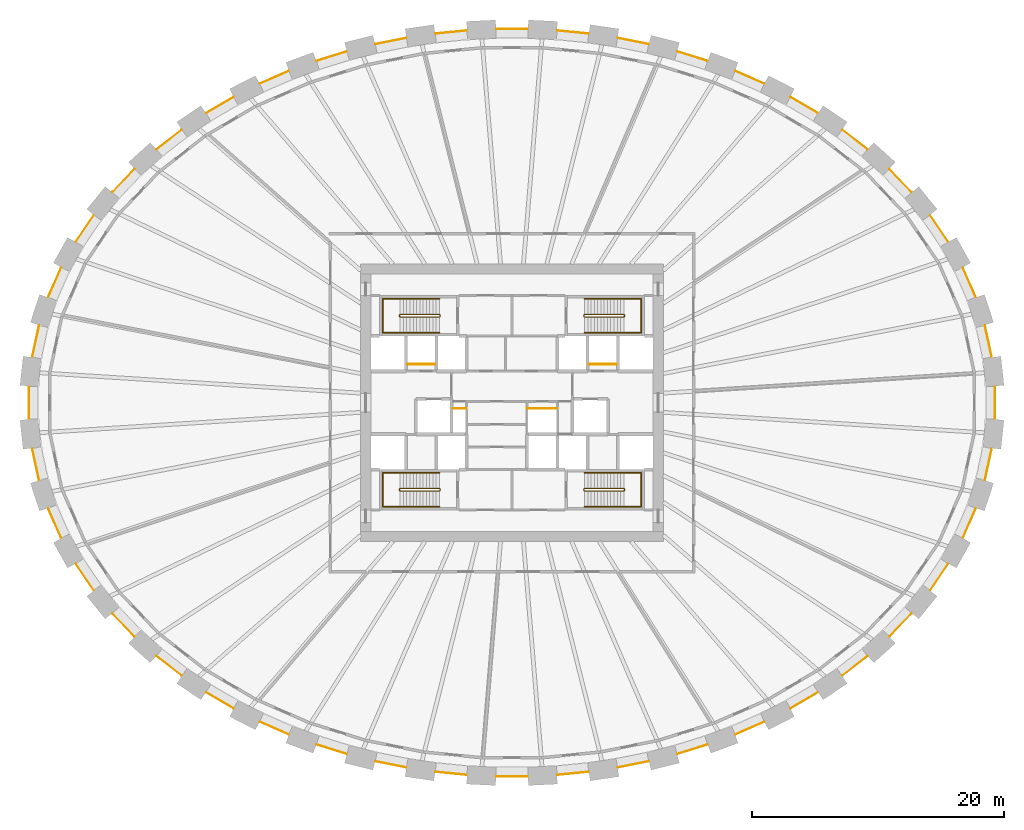
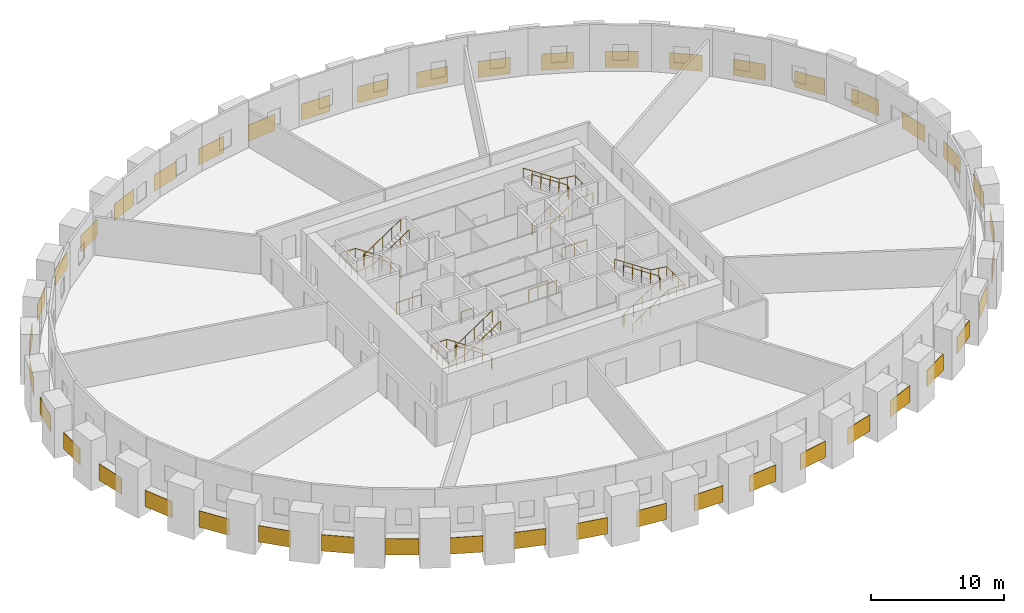
# One storey, part 9 of 9: 44 coverings, 12 railings.
"""IFC4 building model written with IfcOpenShell, lengths in metres."""

from ifc_helpers import new_model, si_unit, direction, frame, origin, origin_2d, place, context, subcontext, project, spatial, rectangle, circle, extrude, source, transform, mapped, material, layer, layer_set, type_object, element, save


model = new_model("IFC4")

# Units and contexts
model_context = context("Model", 3, precision=1e-05, world=origin(), true_north=direction((0.0, 1.0)))
body_context = subcontext(model_context, "Body", "Model", "MODEL_VIEW")
ifc_project = project(units=[si_unit("LENGTHUNIT", "METRE"), si_unit("AREAUNIT", "SQUARE_METRE"), si_unit("VOLUMEUNIT", "CUBIC_METRE"), si_unit("PLANEANGLEUNIT", "RADIAN"), si_unit("MASSUNIT", "GRAM", prefix="KILO")], contexts=[model_context])

# Site, building, storey
site_placement = place(None, origin())
site = spatial("IfcSite", under=ifc_project, at=site_placement, CompositionType="ELEMENT")
building_placement = place(site_placement, origin())
building = spatial("IfcBuilding", under=site, at=building_placement, Name="Embergate Tower", CompositionType="ELEMENT")
storey_placement = place(building_placement, frame((0.0, 0.0, 147.60009765625)))
storey = spatial("IfcBuildingStorey", under=building, at=storey_placement, Name="L32", CompositionType="ELEMENT", Elevation=147.60009765625)

# Coverings
ifc_material_1 = material(Name="Terracotta rainscreen on insulated backing", Category="masonry")
ifc_layer = layer(ifc_material_1, 0.0400390625)
ifc_layer_set = layer_set([ifc_layer], Name="Terracotta rainscreen on insulated backing")
covering_type = type_object("IfcCoveringType", Name="Terracotta rainscreen band", PredefinedType="CLADDING", material=ifc_layer_set)
shared_shape_1 = source(origin(), body_context, "Body", "SweptSolid", [
    extrude(rectangle(XDim=2.5439453125, YDim=0.0400390625, at=origin_2d()), origin(), (0.0, 0.0, 1.0), 1.5),
])
for number, where, z_axis, x_axis, name in (
    (1, (37.773193359375, 4.88134765625, -0.75), (0.0, 0.0, 1.0), (-0.210307958426, 0.977635188924, 0.0), "Rainscreen band 1"),
    (2, (-37.773193359375, 4.88134765625, -0.75), (0.0, 0.0, 1.0), (-0.210307958426, -0.977635188924, 0.0), "Rainscreen band 21"),
    (3, (-38.2919921875, 0.0, -0.75), (0.0, 0.0, 1.0), (0.0, -1.0, 0.0), "Rainscreen band 22"),
    (4, (-37.773193359375, -4.88134765625, -0.75), (0.0, 0.0, 1.0), (0.210307958426, -0.977635188924, 0.0), "Rainscreen band 23"),
    (5, (37.773193359375, -4.88134765625, -0.75), (0.0, 0.0, 1.0), (0.210307958426, 0.977635188924, 0.0), "Rainscreen band 43"),
    (6, (38.2919921875, 0.0, -0.75), (0.0, 0.0, 1.0), (0.0, 1.0, 0.0), "Rainscreen band 44"),
):
    element("IfcCovering", number, at=place(storey_placement, frame(where, z_axis=z_axis, x_axis=x_axis)), inside=storey, type_object=covering_type, Name=name, PredefinedType="CLADDING", context=body_context, shape_type="MappedRepresentation", body=[
        mapped(shared_shape_1, transform((0.0, 0.0, 0.0))),
    ])
shared_shape_2 = source(origin(), body_context, "Body", "SweptSolid", [
    extrude(rectangle(XDim=2.540283203125, YDim=0.0400390625, at=origin_2d()), origin(), (0.0, 0.0, 1.0), 1.5),
])
for number, where, z_axis, x_axis, name in (
    (7, (36.265380859375, 9.547607421875, -0.75), (0.0, 0.0, 1.0), (-0.401933393412, 0.915668907008, 0.0), "Rainscreen band 2"),
    (8, (-36.265380859375, 9.547607421875, -0.75), (0.0, 0.0, 1.0), (-0.401933393412, -0.915668907008, 0.0), "Rainscreen band 20"),
    (9, (-36.265380859375, -9.547607421875, -0.75), (0.0, 0.0, 1.0), (0.401933393412, -0.915668907008, 0.0), "Rainscreen band 24"),
    (10, (36.265380859375, -9.547607421875, -0.75), (0.0, 0.0, 1.0), (0.401933393412, 0.915668907008, 0.0), "Rainscreen band 42"),
):
    element("IfcCovering", number, at=place(storey_placement, frame(where, z_axis=z_axis, x_axis=x_axis)), inside=storey, type_object=covering_type, Name=name, PredefinedType="CLADDING", context=body_context, shape_type="MappedRepresentation", body=[
        mapped(shared_shape_2, transform((0.0, 0.0, 0.0))),
    ])
shared_shape_3 = source(origin(), body_context, "Body", "SweptSolid", [
    extrude(rectangle(XDim=2.531005859375, YDim=0.0400390625, at=origin_2d()), origin(), (0.0, 0.0, 1.0), 1.5),
])
for number, where, z_axis, x_axis, name in (
    (11, (33.87939453125, 13.819580078125, -0.75), (0.0, 0.0, 1.0), (-0.562245042239, 0.826970684171, 0.0), "Rainscreen band 3"),
    (12, (-33.87939453125, 13.819580078125, -0.75), (0.0, 0.0, 1.0), (-0.562245042239, -0.826970684171, 0.0), "Rainscreen band 19"),
    (13, (-33.87939453125, -13.819580078125, -0.75), (0.0, 0.0, 1.0), (0.562245042239, -0.826970684171, 0.0), "Rainscreen band 25"),
    (14, (33.87939453125, -13.819580078125, -0.75), (0.0, 0.0, 1.0), (0.562245042239, 0.826970684171, 0.0), "Rainscreen band 41"),
):
    element("IfcCovering", number, at=place(storey_placement, frame(where, z_axis=z_axis, x_axis=x_axis)), inside=storey, type_object=covering_type, Name=name, PredefinedType="CLADDING", context=body_context, shape_type="MappedRepresentation", body=[
        mapped(shared_shape_3, transform((0.0, 0.0, 0.0))),
    ])
shared_shape_4 = source(origin(), body_context, "Body", "SweptSolid", [
    extrude(rectangle(XDim=2.52587890625, YDim=0.0400390625, at=origin_2d()), origin(), (0.0, 0.0, 1.0), 1.5),
])
for number, where, z_axis, x_axis, name in (
    (15, (30.813232421875, 17.6162109375, -0.75), (0.0, 0.0, 1.0), (-0.690080733963, 0.723732395719, 0.0), "Rainscreen band 4"),
    (16, (-30.813232421875, 17.6162109375, -0.75), (0.0, 0.0, 1.0), (-0.690080733963, -0.723732395719, 0.0), "Rainscreen band 18"),
    (17, (-30.813232421875, -17.6162109375, -0.75), (0.0, 0.0, 1.0), (0.690080733963, -0.723732395719, 0.0), "Rainscreen band 26"),
    (18, (30.813232421875, -17.6162109375, -0.75), (0.0, 0.0, 1.0), (0.690080733963, 0.723732395719, 0.0), "Rainscreen band 40"),
):
    element("IfcCovering", number, at=place(storey_placement, frame(where, z_axis=z_axis, x_axis=x_axis)), inside=storey, type_object=covering_type, Name=name, PredefinedType="CLADDING", context=body_context, shape_type="MappedRepresentation", body=[
        mapped(shared_shape_4, transform((0.0, 0.0, 0.0))),
    ])
shared_shape_5 = source(origin(), body_context, "Body", "SweptSolid", [
    extrude(rectangle(XDim=2.517822265625, YDim=0.0400390625, at=origin_2d()), origin(), (0.0, 0.0, 1.0), 1.5),
])
for number, where, z_axis, x_axis, name in (
    (19, (27.190185546875, 20.8701171875, -0.75), (0.0, 0.0, 1.0), (-0.788367365913, 0.615204759705, 0.0), "Rainscreen band 5"),
    (20, (-27.190185546875, 20.8701171875, -0.75), (0.0, 0.0, 1.0), (-0.788367365913, -0.615204759705, 0.0), "Rainscreen band 17"),
    (21, (-27.190185546875, -20.8701171875, -0.75), (0.0, 0.0, 1.0), (0.788367365913, -0.615204759705, 0.0), "Rainscreen band 27"),
    (22, (27.190185546875, -20.8701171875, -0.75), (0.0, 0.0, 1.0), (0.788367365913, 0.615204759705, 0.0), "Rainscreen band 39"),
):
    element("IfcCovering", number, at=place(storey_placement, frame(where, z_axis=z_axis, x_axis=x_axis)), inside=storey, type_object=covering_type, Name=name, PredefinedType="CLADDING", context=body_context, shape_type="MappedRepresentation", body=[
        mapped(shared_shape_5, transform((0.0, 0.0, 0.0))),
    ])
shared_shape_6 = source(origin(), body_context, "Body", "SweptSolid", [
    extrude(rectangle(XDim=2.513916015625, YDim=0.0400390625, at=origin_2d()), origin(), (0.0, 0.0, 1.0), 1.5),
])
for number, where, z_axis, x_axis, name in (
    (23, (23.172119140625, 23.60205078125, -0.75), (0.0, 0.0, 1.0), (-0.862056706047, 0.506811834471, 0.0), "Rainscreen band 6"),
    (24, (-23.172119140625, 23.60205078125, -0.75), (0.0, 0.0, 1.0), (-0.862056706047, -0.506811834471, 0.0), "Rainscreen band 16"),
    (25, (-23.172119140625, -23.60205078125, -0.75), (0.0, 0.0, 1.0), (0.862056706047, -0.506811834471, 0.0), "Rainscreen band 28"),
    (26, (23.172119140625, -23.60205078125, -0.75), (0.0, 0.0, 1.0), (0.862056706047, 0.506811834471, 0.0), "Rainscreen band 38"),
):
    element("IfcCovering", number, at=place(storey_placement, frame(where, z_axis=z_axis, x_axis=x_axis)), inside=storey, type_object=covering_type, Name=name, PredefinedType="CLADDING", context=body_context, shape_type="MappedRepresentation", body=[
        mapped(shared_shape_6, transform((0.0, 0.0, 0.0))),
    ])
shared_shape_7 = source(origin(), body_context, "Body", "SweptSolid", [
    extrude(rectangle(XDim=2.509521484375, YDim=0.0400390625, at=origin_2d()), origin(), (0.0, 0.0, 1.0), 1.5),
])
for number, where, z_axis, x_axis, name in (
    (27, (18.850830078125, 25.806884765625, -0.75), (0.0, 0.0, 1.0), (-0.916129894095, 0.400881550018, 0.0), "Rainscreen band 7"),
    (28, (-18.850830078125, 25.806884765625, -0.75), (0.0, 0.0, 1.0), (-0.916129894095, -0.400881550018, 0.0), "Rainscreen band 15"),
    (29, (-18.850830078125, -25.806884765625, -0.75), (0.0, 0.0, 1.0), (0.916129894095, -0.400881550018, 0.0), "Rainscreen band 29"),
    (30, (18.850830078125, -25.806884765625, -0.75), (0.0, 0.0, 1.0), (0.916129894095, 0.400881550018, 0.0), "Rainscreen band 37"),
):
    element("IfcCovering", number, at=place(storey_placement, frame(where, z_axis=z_axis, x_axis=x_axis)), inside=storey, type_object=covering_type, Name=name, PredefinedType="CLADDING", context=body_context, shape_type="MappedRepresentation", body=[
        mapped(shared_shape_7, transform((0.0, 0.0, 0.0))),
    ])
shared_shape_8 = source(origin(), body_context, "Body", "SweptSolid", [
    extrude(rectangle(XDim=2.50634765625, YDim=0.0400390625, at=origin_2d()), origin(), (0.0, 0.0, 1.0), 1.5),
])
for number, where, z_axis, x_axis, name in (
    (31, (14.304443359375, 27.481689453125, -0.75), (0.0, 0.0, 1.0), (-0.954798679999, 0.297253226512, 0.0), "Rainscreen band 8"),
    (32, (-14.304443359375, 27.481689453125, -0.75), (0.0, 0.0, 1.0), (-0.954798679999, -0.297253226512, 0.0), "Rainscreen band 14"),
    (33, (-14.304443359375, -27.481689453125, -0.75), (0.0, 0.0, 1.0), (0.954798679999, -0.297253226512, 0.0), "Rainscreen band 30"),
    (34, (14.304443359375, -27.481689453125, -0.75), (0.0, 0.0, 1.0), (0.954798679999, 0.297253226512, 0.0), "Rainscreen band 36"),
):
    element("IfcCovering", number, at=place(storey_placement, frame(where, z_axis=z_axis, x_axis=x_axis)), inside=storey, type_object=covering_type, Name=name, PredefinedType="CLADDING", context=body_context, shape_type="MappedRepresentation", body=[
        mapped(shared_shape_8, transform((0.0, 0.0, 0.0))),
    ])
shared_shape_9 = source(origin(), body_context, "Body", "SweptSolid", [
    extrude(rectangle(XDim=2.502685546875, YDim=0.0400390625, at=origin_2d()), origin(), (0.0, 0.0, 1.0), 1.5),
])
for number, where, z_axis, x_axis, name in (
    (35, (9.61474609375, 28.6787109375, -0.75), (0.0, 0.0, 1.0), (-0.980488260682, 0.196577645383, 0.0), "Rainscreen band 9"),
    (36, (-9.61474609375, 28.6787109375, -0.75), (0.0, 0.0, 1.0), (-0.980488260682, -0.196577645383, 0.0), "Rainscreen band 13"),
    (37, (-9.61474609375, -28.6787109375, -0.75), (0.0, 0.0, 1.0), (0.980488260682, -0.196577645383, 0.0), "Rainscreen band 31"),
    (38, (9.61474609375, -28.6787109375, -0.75), (0.0, 0.0, 1.0), (0.980488260682, 0.196577645383, 0.0), "Rainscreen band 35"),
):
    element("IfcCovering", number, at=place(storey_placement, frame(where, z_axis=z_axis, x_axis=x_axis)), inside=storey, type_object=covering_type, Name=name, PredefinedType="CLADDING", context=body_context, shape_type="MappedRepresentation", body=[
        mapped(shared_shape_9, transform((0.0, 0.0, 0.0))),
    ])
shared_shape_10 = source(origin(), body_context, "Body", "SweptSolid", [
    extrude(rectangle(XDim=2.5029296875, YDim=0.0400390625, at=origin_2d()), origin(), (0.0, 0.0, 1.0), 1.5),
])
for number, where, z_axis, x_axis, name in (
    (39, (4.83056640625, 29.39208984375, -0.75), (0.0, 0.0, 1.0), (-0.995236932828, 0.097485627322, 0.0), "Rainscreen band 10"),
    (40, (-4.83056640625, 29.39208984375, -0.75), (0.0, 0.0, 1.0), (-0.995236932828, -0.097485627322, 0.0), "Rainscreen band 12"),
    (41, (-4.83056640625, -29.39208984375, -0.75), (0.0, 0.0, 1.0), (0.995236932828, -0.097485627322, 0.0), "Rainscreen band 32"),
    (42, (4.83056640625, -29.39208984375, -0.75), (0.0, 0.0, 1.0), (0.995236932828, 0.097485627322, 0.0), "Rainscreen band 34"),
):
    element("IfcCovering", number, at=place(storey_placement, frame(where, z_axis=z_axis, x_axis=x_axis)), inside=storey, type_object=covering_type, Name=name, PredefinedType="CLADDING", context=body_context, shape_type="MappedRepresentation", body=[
        mapped(shared_shape_10, transform((0.0, 0.0, 0.0))),
    ])
shared_shape_11 = source(origin(), body_context, "Body", "SweptSolid", [
    extrude(rectangle(XDim=2.501953125, YDim=0.0400390625, at=origin_2d()), origin(), (0.0, 0.0, 1.0), 1.5),
])
for number, where, z_axis, x_axis, name in (
    (43, (0.0, 29.62890625, -0.75), (0.0, 0.0, 1.0), (-1.0, 0.0, 0.0), "Rainscreen band 11"),
    (44, (0.0, -29.62890625, -0.75), (0.0, 0.0, 1.0), (1.0, 0.0, 0.0), "Rainscreen band 33"),
):
    element("IfcCovering", number, at=place(storey_placement, frame(where, z_axis=z_axis, x_axis=x_axis)), inside=storey, type_object=covering_type, Name=name, PredefinedType="CLADDING", context=body_context, shape_type="MappedRepresentation", body=[
        mapped(shared_shape_11, transform((0.0, 0.0, 0.0))),
    ])

# Railings
ifc_material_2 = material(Name="Stair guard 1100")
railing_type_1 = type_object("IfcRailingType", Name="Stair guard 1100", PredefinedType="GUARDRAIL", material=ifc_material_2)
shared_shape_12 = source(origin(), body_context, "Body", "SweptSolid", [
    extrude(circle(Radius=0.02392578125, at=origin_2d()), frame((0.0, 0.0, 1.076171875), z_axis=(0.0, 1.0, 0.0), x_axis=(-1.0, 0.0, 0.0)), (0.0, 0.0, 1.0), 0.099853515625),
    extrude(circle(Radius=0.02392578125, at=origin_2d()), frame((0.0, 0.099853515625, 1.076171875), z_axis=(-0.267629722418, 0.267629722418, 0.925607186314), x_axis=(-0.707106781187, -0.707106781187, 0.0)), (0.0, 0.0, 1.0), 0.18701171875),
    extrude(circle(Radius=0.02392578125, at=origin_2d()), frame((-0.050048828125, 0.14990234375, 1.2490234375), z_axis=(-0.83244090515, 0.0, 0.554113832559), x_axis=(0.0, -1.0, 0.0)), (0.0, 0.0, 1.0), 3.748046875),
    extrude(circle(Radius=0.02392578125, at=origin_2d()), frame((-3.170166015625, 0.14990234375, 3.326171875), z_axis=(-0.705375805398, -0.708833529934, 0.0), x_axis=(0.708833529934, -0.705375805398, 0.0)), (0.0, 0.0, 1.0), 0.070556640625),
    extrude(circle(Radius=0.02392578125, at=origin_2d()), frame((-3.219970703125, 0.099853515625, 3.326171875), z_axis=(0.0, -1.0, 0.0), x_axis=(1.0, 0.0, 0.0)), (0.0, 0.0, 1.0), 0.099853515625),
    extrude(circle(Radius=0.02392578125, at=origin_2d()), frame((-3.219970703125, 0.0, 3.326171875), z_axis=(0.266417085129, -0.267723051232, 0.925929967433), x_axis=(0.708833529934, 0.705375805398, 0.0)), (0.0, 0.0, 1.0), 0.18701171875),
    extrude(circle(Radius=0.02392578125, at=origin_2d()), frame((-3.170166015625, -0.050048828125, 3.4990234375), z_axis=(0.83244090515, 0.0, 0.554113832559), x_axis=(0.0, 1.0, 0.0)), (0.0, 0.0, 1.0), 3.748046875),
    extrude(circle(Radius=0.02099609375, at=origin_2d()), origin(), (0.0, 0.0, 1.0), 1.052001953125),
    extrude(circle(Radius=0.02099609375, at=origin_2d()), frame((0.0, 0.099853515625, 0.0)), (0.0, 0.0, 1.0), 1.052001953125),
    extrude(circle(Radius=0.02099609375, at=origin_2d()), frame((-0.050048828125, 0.14990234375, 0.173095703125)), (0.0, 0.0, 1.0), 1.052001953125),
    extrude(circle(Radius=0.02099609375, at=origin_2d()), frame((-0.830078125, 0.14990234375, 0.6923828125)), (0.0, 0.0, 1.0), 1.052001953125),
    extrude(circle(Radius=0.02099609375, at=origin_2d()), frame((-1.610107421875, 0.14990234375, 1.21142578125)), (0.0, 0.0, 1.0), 1.052001953125),
    extrude(circle(Radius=0.02099609375, at=origin_2d()), frame((-2.39013671875, 0.14990234375, 1.730712890625)), (0.0, 0.0, 1.0), 1.052001953125),
    extrude(circle(Radius=0.02099609375, at=origin_2d()), frame((-3.170166015625, 0.14990234375, 2.25)), (0.0, 0.0, 1.0), 1.052001953125),
    extrude(circle(Radius=0.02099609375, at=origin_2d()), frame((-3.219970703125, 0.099853515625, 2.25)), (0.0, 0.0, 1.0), 1.052001953125),
    extrude(circle(Radius=0.02099609375, at=origin_2d()), frame((-3.219970703125, 0.0, 2.25)), (0.0, 0.0, 1.0), 1.052001953125),
    extrude(circle(Radius=0.02099609375, at=origin_2d()), frame((-3.170166015625, -0.050048828125, 2.423095703125)), (0.0, 0.0, 1.0), 1.052001953125),
    extrude(circle(Radius=0.02099609375, at=origin_2d()), frame((-2.39013671875, -0.050048828125, 2.9423828125)), (0.0, 0.0, 1.0), 1.052001953125),
    extrude(circle(Radius=0.02099609375, at=origin_2d()), frame((-1.610107421875, -0.050048828125, 3.46142578125)), (0.0, 0.0, 1.0), 1.052001953125),
    extrude(circle(Radius=0.02099609375, at=origin_2d()), frame((-0.830078125, -0.050048828125, 3.980712890625)), (0.0, 0.0, 1.0), 1.052001953125),
    extrude(circle(Radius=0.02099609375, at=origin_2d()), frame((-0.050048828125, -0.050048828125, 4.5)), (0.0, 0.0, 1.0), 1.052001953125),
])
for number, where, name in (
    (45, (-5.699951171875, 6.85009765625, 0.0), "L32 ST1 stair guard 1"),
    (46, (-5.699951171875, -6.949951171875, 0.0), "L32 ST3 stair guard 1"),
):
    element("IfcRailing", number, at=place(storey_placement, frame(where)), inside=storey, type_object=railing_type_1, Name=name, PredefinedType="GUARDRAIL", context=body_context, shape_type="MappedRepresentation", body=[
        mapped(shared_shape_12, transform((0.0, 0.0, 0.0))),
    ])
ifc_material_3 = material(Name="Stair handrail 900")
railing_type_2 = type_object("IfcRailingType", Name="Stair handrail 900", PredefinedType="HANDRAIL", material=ifc_material_3)
shared_shape_13 = source(origin(), body_context, "Body", "SweptSolid", [
    extrude(circle(Radius=0.02392578125, at=origin_2d()), frame((0.0, 0.0, 0.8759765625), z_axis=(-0.83244090515, 0.0, 0.554113832559), x_axis=(0.0, -1.0, 0.0)), (0.0, 0.0, 1.0), 3.748046875),
    extrude(circle(Radius=0.02392578125, at=origin_2d()), frame((-3.1201171875, 0.0, 2.95263671875), z_axis=(-1.0, 0.0, 0.0), x_axis=(0.0, -1.0, 0.0)), (0.0, 0.0, 1.0), 1.3798828125),
    extrude(circle(Radius=0.02392578125, at=origin_2d()), frame((-4.5, 0.0, 2.95263671875), z_axis=(0.0, -1.0, 0.0), x_axis=(1.0, 0.0, 0.0)), (0.0, 0.0, 1.0), 2.699951171875),
    extrude(circle(Radius=0.02392578125, at=origin_2d()), frame((-4.5, -2.699951171875, 2.95263671875), z_axis=(0.992223766409, 0.0, 0.12446685251), x_axis=(0.0, 1.0, 0.0)), (0.0, 0.0, 1.0), 1.390625),
    extrude(circle(Radius=0.02392578125, at=origin_2d()), frame((-3.1201171875, -2.699951171875, 3.1259765625), z_axis=(0.83244090515, 0.0, 0.554113832559), x_axis=(0.0, 1.0, 0.0)), (0.0, 0.0, 1.0), 3.748046875),
    extrude(circle(Radius=0.02099609375, at=origin_2d()), origin(), (0.0, 0.0, 1.0), 0.851806640625),
    extrude(circle(Radius=0.02099609375, at=origin_2d()), frame((-0.780029296875, 0.0, 0.519287109375)), (0.0, 0.0, 1.0), 0.851806640625),
    extrude(circle(Radius=0.02099609375, at=origin_2d()), frame((-1.56005859375, 0.0, 1.03857421875)), (0.0, 0.0, 1.0), 0.851806640625),
    extrude(circle(Radius=0.02099609375, at=origin_2d()), frame((-2.340087890625, 0.0, 1.5576171875)), (0.0, 0.0, 1.0), 0.851806640625),
    extrude(circle(Radius=0.02099609375, at=origin_2d()), frame((-3.1201171875, 0.0, 2.076904296875)), (0.0, 0.0, 1.0), 0.851806640625),
    extrude(circle(Radius=0.02099609375, at=origin_2d()), frame((-3.81005859375, 0.0, 2.076904296875)), (0.0, 0.0, 1.0), 0.851806640625),
    extrude(circle(Radius=0.02099609375, at=origin_2d()), frame((-4.5, 0.0, 2.076904296875)), (0.0, 0.0, 1.0), 0.851806640625),
    extrude(circle(Radius=0.02099609375, at=origin_2d()), frame((-4.5, -0.89990234375, 2.076904296875)), (0.0, 0.0, 1.0), 0.851806640625),
    extrude(circle(Radius=0.02099609375, at=origin_2d()), frame((-4.5, -1.800048828125, 2.076904296875)), (0.0, 0.0, 1.0), 0.851806640625),
    extrude(circle(Radius=0.02099609375, at=origin_2d()), frame((-4.5, -2.699951171875, 2.076904296875)), (0.0, 0.0, 1.0), 0.851806640625),
    extrude(circle(Radius=0.02099609375, at=origin_2d()), frame((-3.81005859375, -2.699951171875, 2.16357421875)), (0.0, 0.0, 1.0), 0.851806640625),
    extrude(circle(Radius=0.02099609375, at=origin_2d()), frame((-3.1201171875, -2.699951171875, 2.25)), (0.0, 0.0, 1.0), 0.851806640625),
    extrude(circle(Radius=0.02099609375, at=origin_2d()), frame((-2.340087890625, -2.699951171875, 2.769287109375)), (0.0, 0.0, 1.0), 0.851806640625),
    extrude(circle(Radius=0.02099609375, at=origin_2d()), frame((-1.56005859375, -2.699951171875, 3.28857421875)), (0.0, 0.0, 1.0), 0.851806640625),
    extrude(circle(Radius=0.02099609375, at=origin_2d()), frame((-0.780029296875, -2.699951171875, 3.8076171875)), (0.0, 0.0, 1.0), 0.851806640625),
    extrude(circle(Radius=0.02099609375, at=origin_2d()), frame((0.0, -2.699951171875, 4.326904296875)), (0.0, 0.0, 1.0), 0.851806640625),
])
for number, where, name in (
    (47, (-5.75, 8.25, 0.173095703125), "L32 ST1 stair handrail 1"),
    (48, (-5.75, -5.550048828125, 0.173095703125), "L32 ST3 stair handrail 1"),
):
    element("IfcRailing", number, at=place(storey_placement, frame(where)), inside=storey, type_object=railing_type_2, Name=name, PredefinedType="HANDRAIL", context=body_context, shape_type="MappedRepresentation", body=[
        mapped(shared_shape_13, transform((0.0, 0.0, 0.0))),
    ])
shared_shape_14 = source(origin(), body_context, "Body", "SweptSolid", [
    extrude(circle(Radius=0.02392578125, at=origin_2d()), frame((0.0, 0.0, 1.076171875), z_axis=(0.0, -1.0, 0.0), x_axis=(1.0, 0.0, 0.0)), (0.0, 0.0, 1.0), 0.099853515625),
    extrude(circle(Radius=0.02392578125, at=origin_2d()), frame((0.0, -0.099853515625, 1.076171875), z_axis=(0.267629722418, -0.267629722418, 0.925607186314), x_axis=(0.707106781187, 0.707106781187, 0.0)), (0.0, 0.0, 1.0), 0.18701171875),
    extrude(circle(Radius=0.02392578125, at=origin_2d()), frame((0.050048828125, -0.14990234375, 1.2490234375), z_axis=(0.83244090515, 0.0, 0.554113832559), x_axis=(0.0, 1.0, 0.0)), (0.0, 0.0, 1.0), 3.748046875),
    extrude(circle(Radius=0.02392578125, at=origin_2d()), frame((3.170166015625, -0.14990234375, 3.326171875), z_axis=(0.705375805398, 0.708833529934, 0.0), x_axis=(-0.708833529934, 0.705375805398, 0.0)), (0.0, 0.0, 1.0), 0.070556640625),
    extrude(circle(Radius=0.02392578125, at=origin_2d()), frame((3.219970703125, -0.099853515625, 3.326171875), z_axis=(0.0, 1.0, 0.0), x_axis=(-1.0, 0.0, 0.0)), (0.0, 0.0, 1.0), 0.099853515625),
    extrude(circle(Radius=0.02392578125, at=origin_2d()), frame((3.219970703125, 0.0, 3.326171875), z_axis=(-0.266417085129, 0.267723051232, 0.925929967433), x_axis=(-0.708833529934, -0.705375805398, 0.0)), (0.0, 0.0, 1.0), 0.18701171875),
    extrude(circle(Radius=0.02392578125, at=origin_2d()), frame((3.170166015625, 0.050048828125, 3.4990234375), z_axis=(-0.83244090515, 0.0, 0.554113832559), x_axis=(0.0, -1.0, 0.0)), (0.0, 0.0, 1.0), 3.748046875),
    extrude(circle(Radius=0.02099609375, at=origin_2d()), origin(), (0.0, 0.0, 1.0), 1.052001953125),
    extrude(circle(Radius=0.02099609375, at=origin_2d()), frame((0.0, -0.099853515625, 0.0)), (0.0, 0.0, 1.0), 1.052001953125),
    extrude(circle(Radius=0.02099609375, at=origin_2d()), frame((0.050048828125, -0.14990234375, 0.173095703125)), (0.0, 0.0, 1.0), 1.052001953125),
    extrude(circle(Radius=0.02099609375, at=origin_2d()), frame((0.830078125, -0.14990234375, 0.6923828125)), (0.0, 0.0, 1.0), 1.052001953125),
    extrude(circle(Radius=0.02099609375, at=origin_2d()), frame((1.610107421875, -0.14990234375, 1.21142578125)), (0.0, 0.0, 1.0), 1.052001953125),
    extrude(circle(Radius=0.02099609375, at=origin_2d()), frame((2.39013671875, -0.14990234375, 1.730712890625)), (0.0, 0.0, 1.0), 1.052001953125),
    extrude(circle(Radius=0.02099609375, at=origin_2d()), frame((3.170166015625, -0.14990234375, 2.25)), (0.0, 0.0, 1.0), 1.052001953125),
    extrude(circle(Radius=0.02099609375, at=origin_2d()), frame((3.219970703125, -0.099853515625, 2.25)), (0.0, 0.0, 1.0), 1.052001953125),
    extrude(circle(Radius=0.02099609375, at=origin_2d()), frame((3.219970703125, 0.0, 2.25)), (0.0, 0.0, 1.0), 1.052001953125),
    extrude(circle(Radius=0.02099609375, at=origin_2d()), frame((3.170166015625, 0.050048828125, 2.423095703125)), (0.0, 0.0, 1.0), 1.052001953125),
    extrude(circle(Radius=0.02099609375, at=origin_2d()), frame((2.39013671875, 0.050048828125, 2.9423828125)), (0.0, 0.0, 1.0), 1.052001953125),
    extrude(circle(Radius=0.02099609375, at=origin_2d()), frame((1.610107421875, 0.050048828125, 3.46142578125)), (0.0, 0.0, 1.0), 1.052001953125),
    extrude(circle(Radius=0.02099609375, at=origin_2d()), frame((0.830078125, 0.050048828125, 3.980712890625)), (0.0, 0.0, 1.0), 1.052001953125),
    extrude(circle(Radius=0.02099609375, at=origin_2d()), frame((0.050048828125, 0.050048828125, 4.5)), (0.0, 0.0, 1.0), 1.052001953125),
])
for number, where, name in (
    (49, (5.699951171875, 6.949951171875, 0.0), "L32 ST2 stair guard 1"),
    (50, (5.699951171875, -6.85009765625, 0.0), "L32 ST4 stair guard 1"),
):
    element("IfcRailing", number, at=place(storey_placement, frame(where)), inside=storey, type_object=railing_type_1, Name=name, PredefinedType="GUARDRAIL", context=body_context, shape_type="MappedRepresentation", body=[
        mapped(shared_shape_14, transform((0.0, 0.0, 0.0))),
    ])
shared_shape_15 = source(origin(), body_context, "Body", "SweptSolid", [
    extrude(circle(Radius=0.02392578125, at=origin_2d()), frame((0.0, 0.0, 0.8759765625), z_axis=(0.83244090515, 0.0, 0.554113832559), x_axis=(0.0, 1.0, 0.0)), (0.0, 0.0, 1.0), 3.748046875),
    extrude(circle(Radius=0.02392578125, at=origin_2d()), frame((3.1201171875, 0.0, 2.95263671875), z_axis=(1.0, 0.0, 0.0), x_axis=(0.0, 1.0, 0.0)), (0.0, 0.0, 1.0), 1.3798828125),
    extrude(circle(Radius=0.02392578125, at=origin_2d()), frame((4.5, 0.0, 2.95263671875), z_axis=(0.0, 1.0, 0.0), x_axis=(-1.0, 0.0, 0.0)), (0.0, 0.0, 1.0), 2.699951171875),
    extrude(circle(Radius=0.02392578125, at=origin_2d()), frame((4.5, 2.699951171875, 2.95263671875), z_axis=(-0.992223766409, 0.0, 0.12446685251), x_axis=(0.0, -1.0, 0.0)), (0.0, 0.0, 1.0), 1.390625),
    extrude(circle(Radius=0.02392578125, at=origin_2d()), frame((3.1201171875, 2.699951171875, 3.1259765625), z_axis=(-0.83244090515, 0.0, 0.554113832559), x_axis=(0.0, -1.0, 0.0)), (0.0, 0.0, 1.0), 3.748046875),
    extrude(circle(Radius=0.02099609375, at=origin_2d()), origin(), (0.0, 0.0, 1.0), 0.851806640625),
    extrude(circle(Radius=0.02099609375, at=origin_2d()), frame((0.780029296875, 0.0, 0.519287109375)), (0.0, 0.0, 1.0), 0.851806640625),
    extrude(circle(Radius=0.02099609375, at=origin_2d()), frame((1.56005859375, 0.0, 1.03857421875)), (0.0, 0.0, 1.0), 0.851806640625),
    extrude(circle(Radius=0.02099609375, at=origin_2d()), frame((2.340087890625, 0.0, 1.5576171875)), (0.0, 0.0, 1.0), 0.851806640625),
    extrude(circle(Radius=0.02099609375, at=origin_2d()), frame((3.1201171875, 0.0, 2.076904296875)), (0.0, 0.0, 1.0), 0.851806640625),
    extrude(circle(Radius=0.02099609375, at=origin_2d()), frame((3.81005859375, 0.0, 2.076904296875)), (0.0, 0.0, 1.0), 0.851806640625),
    extrude(circle(Radius=0.02099609375, at=origin_2d()), frame((4.5, 0.0, 2.076904296875)), (0.0, 0.0, 1.0), 0.851806640625),
    extrude(circle(Radius=0.02099609375, at=origin_2d()), frame((4.5, 0.89990234375, 2.076904296875)), (0.0, 0.0, 1.0), 0.851806640625),
    extrude(circle(Radius=0.02099609375, at=origin_2d()), frame((4.5, 1.800048828125, 2.076904296875)), (0.0, 0.0, 1.0), 0.851806640625),
    extrude(circle(Radius=0.02099609375, at=origin_2d()), frame((4.5, 2.699951171875, 2.076904296875)), (0.0, 0.0, 1.0), 0.851806640625),
    extrude(circle(Radius=0.02099609375, at=origin_2d()), frame((3.81005859375, 2.699951171875, 2.16357421875)), (0.0, 0.0, 1.0), 0.851806640625),
    extrude(circle(Radius=0.02099609375, at=origin_2d()), frame((3.1201171875, 2.699951171875, 2.25)), (0.0, 0.0, 1.0), 0.851806640625),
    extrude(circle(Radius=0.02099609375, at=origin_2d()), frame((2.340087890625, 2.699951171875, 2.769287109375)), (0.0, 0.0, 1.0), 0.851806640625),
    extrude(circle(Radius=0.02099609375, at=origin_2d()), frame((1.56005859375, 2.699951171875, 3.28857421875)), (0.0, 0.0, 1.0), 0.851806640625),
    extrude(circle(Radius=0.02099609375, at=origin_2d()), frame((0.780029296875, 2.699951171875, 3.8076171875)), (0.0, 0.0, 1.0), 0.851806640625),
    extrude(circle(Radius=0.02099609375, at=origin_2d()), frame((0.0, 2.699951171875, 4.326904296875)), (0.0, 0.0, 1.0), 0.851806640625),
])
for number, where, name in (
    (51, (5.75, 5.550048828125, 0.173095703125), "L32 ST2 stair handrail 1"),
    (52, (5.75, -8.25, 0.173095703125), "L32 ST4 stair handrail 1"),
):
    element("IfcRailing", number, at=place(storey_placement, frame(where)), inside=storey, type_object=railing_type_2, Name=name, PredefinedType="HANDRAIL", context=body_context, shape_type="MappedRepresentation", body=[
        mapped(shared_shape_15, transform((0.0, 0.0, 0.0))),
    ])
ifc_material_4 = material(Name="Opening guard 1100")
railing_type_3 = type_object("IfcRailingType", Name="Opening guard 1100", PredefinedType="GUARDRAIL", material=ifc_material_4)
shared_shape_16 = source(origin(), body_context, "Body", "SweptSolid", [
    extrude(circle(Radius=0.02392578125, at=origin_2d()), frame((0.0, 0.0, 1.076171875), z_axis=(1.0, 0.0, 0.0), x_axis=(0.0, 1.0, 0.0)), (0.0, 0.0, 1.0), 2.14990234375),
    extrude(circle(Radius=0.02099609375, at=origin_2d()), origin(), (0.0, 0.0, 1.0), 1.052001953125),
    extrude(circle(Radius=0.02099609375, at=origin_2d()), frame((1.074951171875, 0.0, 0.0)), (0.0, 0.0, 1.0), 1.052001953125),
    extrude(circle(Radius=0.02099609375, at=origin_2d()), frame((2.14990234375, 0.0, 0.0)), (0.0, 0.0, 1.0), 1.052001953125),
])
for number, where, name in (
    (53, (-8.27490234375, 3.050048828125, 0.0), "Riser opening guard"),
    (54, (6.125, 3.050048828125, 0.0), "Riser opening guard"),
):
    element("IfcRailing", number, at=place(storey_placement, frame(where)), inside=storey, type_object=railing_type_3, Name=name, PredefinedType="GUARDRAIL", context=body_context, shape_type="MappedRepresentation", body=[
        mapped(shared_shape_16, transform((0.0, 0.0, 0.0))),
    ])
shared_shape_17 = source(origin(), body_context, "Body", "SweptSolid", [
    extrude(circle(Radius=0.02392578125, at=origin_2d()), frame((0.0, 0.0, 1.076171875), z_axis=(1.0, 0.0, 0.0), x_axis=(0.0, 1.0, 0.0)), (0.0, 0.0, 1.0), 1.074951171875),
    extrude(circle(Radius=0.02099609375, at=origin_2d()), origin(), (0.0, 0.0, 1.0), 1.052001953125),
    extrude(circle(Radius=0.02099609375, at=origin_2d()), frame((1.074951171875, 0.0, 0.0)), (0.0, 0.0, 1.0), 1.052001953125),
])
railing_1_placement = place(storey_placement, frame((-4.675048828125, -0.449951171875, 0.0)))
element("IfcRailing", 55, at=railing_1_placement, inside=storey, type_object=railing_type_3, Name="Riser opening guard", PredefinedType="GUARDRAIL", context=body_context, shape_type="MappedRepresentation", body=[
    mapped(shared_shape_17, transform((0.0, 0.0, 0.0))),
])
shared_shape_18 = source(origin(), body_context, "Body", "SweptSolid", [
    extrude(circle(Radius=0.02392578125, at=origin_2d()), frame((0.0, 0.0, 1.076171875), z_axis=(1.0, 0.0, 0.0), x_axis=(0.0, 1.0, 0.0)), (0.0, 0.0, 1.0), 2.400146484375),
    extrude(circle(Radius=0.02099609375, at=origin_2d()), origin(), (0.0, 0.0, 1.0), 1.052001953125),
    extrude(circle(Radius=0.02099609375, at=origin_2d()), frame((0.800048828125, 0.0, 0.0)), (0.0, 0.0, 1.0), 1.052001953125),
    extrude(circle(Radius=0.02099609375, at=origin_2d()), frame((1.60009765625, 0.0, 0.0)), (0.0, 0.0, 1.0), 1.052001953125),
    extrude(circle(Radius=0.02099609375, at=origin_2d()), frame((2.400146484375, 0.0, 0.0)), (0.0, 0.0, 1.0), 1.052001953125),
])
railing_2_placement = place(storey_placement, frame((1.199951171875, -0.449951171875, 0.0)))
element("IfcRailing", 56, at=railing_2_placement, inside=storey, type_object=railing_type_3, Name="Riser opening guard", PredefinedType="GUARDRAIL", context=body_context, shape_type="MappedRepresentation", body=[
    mapped(shared_shape_18, transform((0.0, 0.0, 0.0))),
])

save(model, "model.ifc")
